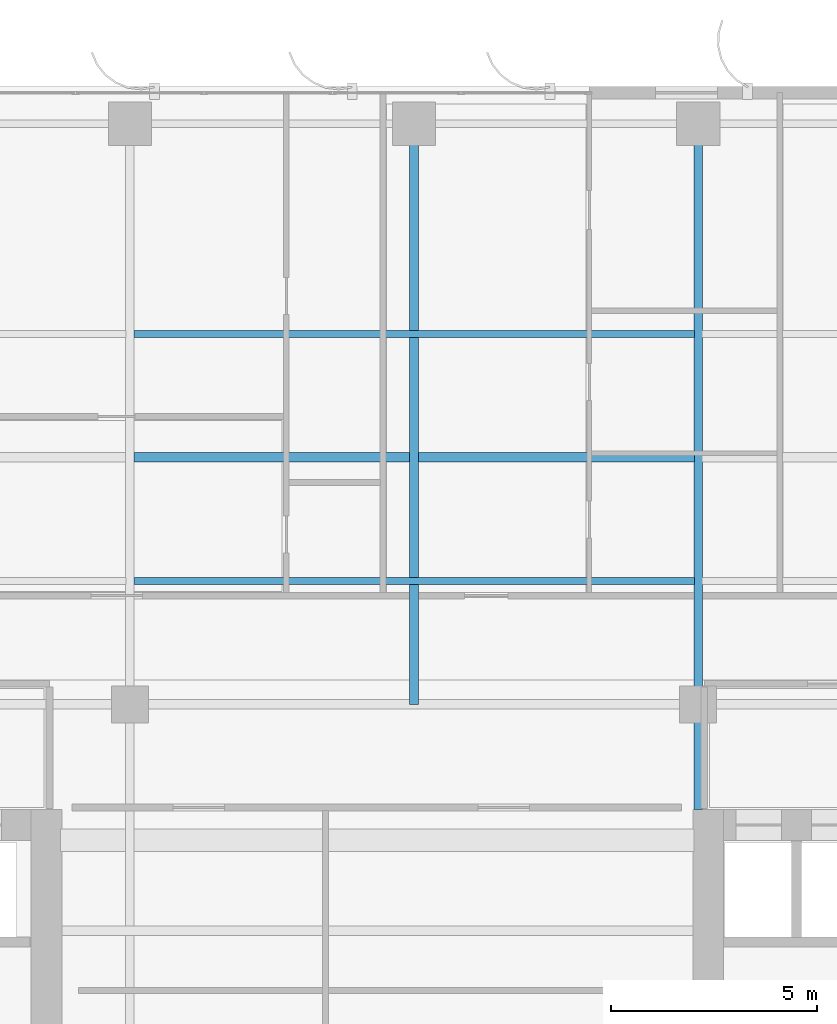
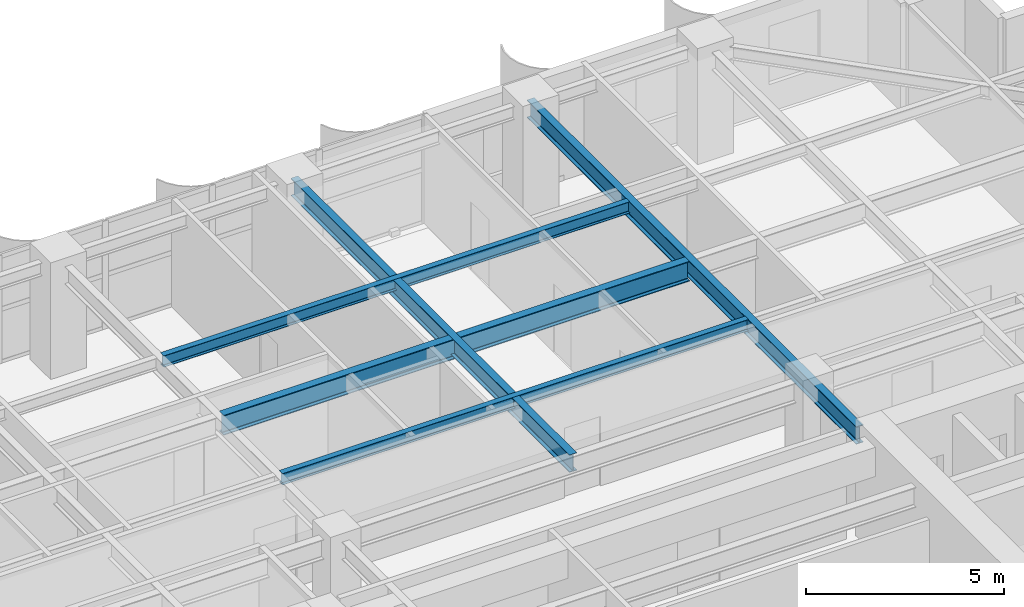
# One storey, part 10 of 22: 5 beams.
"""IFC4 building model written with IfcOpenShell, lengths in metres."""

from ifc_helpers import new_model, si_unit, direction, frame, origin, origin_2d, place, context, subcontext, project, spatial, i_section, extrude, source, transform, mapped, material, material_profile, profile_set, type_object, element, save


model = new_model("IFC4")

# Units and contexts
model_context = context("Model", 3, precision=1e-05, world=origin(), true_north=direction((0.0, 1.0)))
body_context = subcontext(model_context, "Body", "Model", "MODEL_VIEW")
ifc_project = project(units=[si_unit("LENGTHUNIT", "METRE"), si_unit("AREAUNIT", "SQUARE_METRE"), si_unit("VOLUMEUNIT", "CUBIC_METRE"), si_unit("PLANEANGLEUNIT", "RADIAN"), si_unit("MASSUNIT", "GRAM", prefix="KILO")], contexts=[model_context])

# Site, building, storey
site_placement = place(None, origin())
site = spatial("IfcSite", under=ifc_project, at=site_placement, CompositionType="ELEMENT")
building_placement = place(site_placement, origin())
building = spatial("IfcBuilding", under=site, at=building_placement, Name="Khoralis Quay Care Tower", CompositionType="ELEMENT")
storey_placement = place(building_placement, frame((0.0, 0.0, 101.699951171875)))
storey = spatial("IfcBuildingStorey", under=building, at=storey_placement, Name="L26", CompositionType="ELEMENT", Elevation=101.699951171875)

# Beams
ifc_material = material(Name="Steel S355", Category="steel")
ifc_material_profile_1 = material_profile(ifc_material, i_section(OverallWidth=0.22998046875, OverallDepth=0.616943359375, WebThickness=0.01318359375, FlangeThickness=0.022216796875, FilletRadius=0.01806640625, at=origin_2d()), Name="Steel S355")
ifc_profile_set_1 = profile_set([ifc_material_profile_1], Name="Steel S355")
beam_type_1 = type_object("IfcBeamType", Name="BM-W610X140", PredefinedType="BEAM", material=ifc_profile_set_1)
shared_shape_1 = source(origin(), body_context, "Body", "SweptSolid", [
    extrude(i_section(OverallWidth=0.22998046875, OverallDepth=0.616943359375, WebThickness=0.01318359375, FlangeThickness=0.022216796875, FilletRadius=0.01806640625, at=origin_2d()), origin(), (0.0, 0.0, 1.0), 13.61181640625),
])
beam_1_placement = place(storey_placement, frame((17.194091796875, 36.0, 3.031494140625), z_axis=(1.0, 0.0, 0.0), x_axis=(0.0, 1.0, 0.0)))
element("IfcBeam", 1, at=beam_1_placement, inside=storey, type_object=beam_type_1, Name="BM-TGCC-L26-360", PredefinedType="BEAM", context=body_context, shape_type="MappedRepresentation", body=[
    mapped(shared_shape_1, transform((0.0, 0.0, 0.0), scale=1.0)),
])
ifc_material_profile_2 = material_profile(ifc_material, i_section(OverallWidth=0.2119140625, OverallDepth=0.5439453125, WebThickness=0.01318359375, FlangeThickness=0.021240234375, FilletRadius=0.01611328125, at=origin_2d()), Name="Steel S355")
ifc_profile_set_2 = profile_set([ifc_material_profile_2], Name="Steel S355")
beam_type_2 = type_object("IfcBeamType", Name="BM-W530X123", PredefinedType="BEAM", material=ifc_profile_set_2)
shared_shape_2 = source(origin(), body_context, "Body", "SweptSolid", [
    extrude(i_section(OverallWidth=0.2119140625, OverallDepth=0.5439453125, WebThickness=0.01318359375, FlangeThickness=0.021240234375, FilletRadius=0.01611328125, at=origin_2d()), origin(), (0.0, 0.0, 1.0), 14.10009765625),
])
beam_2_placement = place(storey_placement, frame((24.0, 30.0, 3.068115234375), z_axis=(0.0, 1.0, 0.0), x_axis=(-1.0, 0.0, 0.0)))
element("IfcBeam", 2, at=beam_2_placement, inside=storey, type_object=beam_type_2, Name="BM-TGYN-L26-240", PredefinedType="BEAM", context=body_context, shape_type="MappedRepresentation", body=[
    mapped(shared_shape_2, transform((0.0, 0.0, 0.0), scale=1.0)),
])
shared_shape_3 = source(origin(), body_context, "Body", "SweptSolid", [
    extrude(i_section(OverallWidth=0.2119140625, OverallDepth=0.5439453125, WebThickness=0.01318359375, FlangeThickness=0.021240234375, FilletRadius=0.01611328125, at=origin_2d()), origin(), (0.0, 0.0, 1.0), 16.652099609375),
])
beam_3_placement = place(storey_placement, frame((30.89990234375, 27.447998046875, 3.068115234375), z_axis=(0.0, 1.0, 0.0), x_axis=(-1.0, 0.0, 0.0)))
element("IfcBeam", 3, at=beam_3_placement, inside=storey, type_object=beam_type_2, Name="BM-TGYN-L26-309", PredefinedType="BEAM", context=body_context, shape_type="MappedRepresentation", body=[
    mapped(shared_shape_3, transform((0.0, 0.0, 0.0), scale=1.0)),
])
ifc_material_profile_3 = material_profile(ifc_material, i_section(OverallWidth=0.1708984375, OverallDepth=0.35498046875, WebThickness=0.007080078125, FlangeThickness=0.01171875, FilletRadius=0.012939453125, at=origin_2d()), Name="Steel S355")
ifc_profile_set_3 = profile_set([ifc_material_profile_3], Name="Steel S355")
beam_type_3 = type_object("IfcBeamType", Name="BM-W360X51", PredefinedType="JOIST", material=ifc_profile_set_3)
shared_shape_4 = source(origin(), body_context, "Body", "SweptSolid", [
    extrude(i_section(OverallWidth=0.1708984375, OverallDepth=0.35498046875, WebThickness=0.007080078125, FlangeThickness=0.01171875, FilletRadius=0.012939453125, at=origin_2d()), origin(), (0.0, 0.0, 1.0), 13.61181640625),
])
for number, where, z_axis, x_axis, name in (
    (4, (17.194091796875, 33.0, 3.16259765625), (1.0, 0.0, 0.0), (0.0, 1.0, 0.0), "BM-TJS-L26-30"),
    (5, (17.194091796875, 39.0, 3.16259765625), (1.0, 0.0, 0.0), (0.0, 1.0, 0.0), "BM-TJS-L26-33"),
):
    element("IfcBeam", number, at=place(storey_placement, frame(where, z_axis=z_axis, x_axis=x_axis)), inside=storey, type_object=beam_type_3, Name=name, PredefinedType="JOIST", context=body_context, shape_type="MappedRepresentation", body=[
        mapped(shared_shape_4, transform((0.0, 0.0, 0.0), scale=1.0)),
    ])

save(model, "model.ifc")
